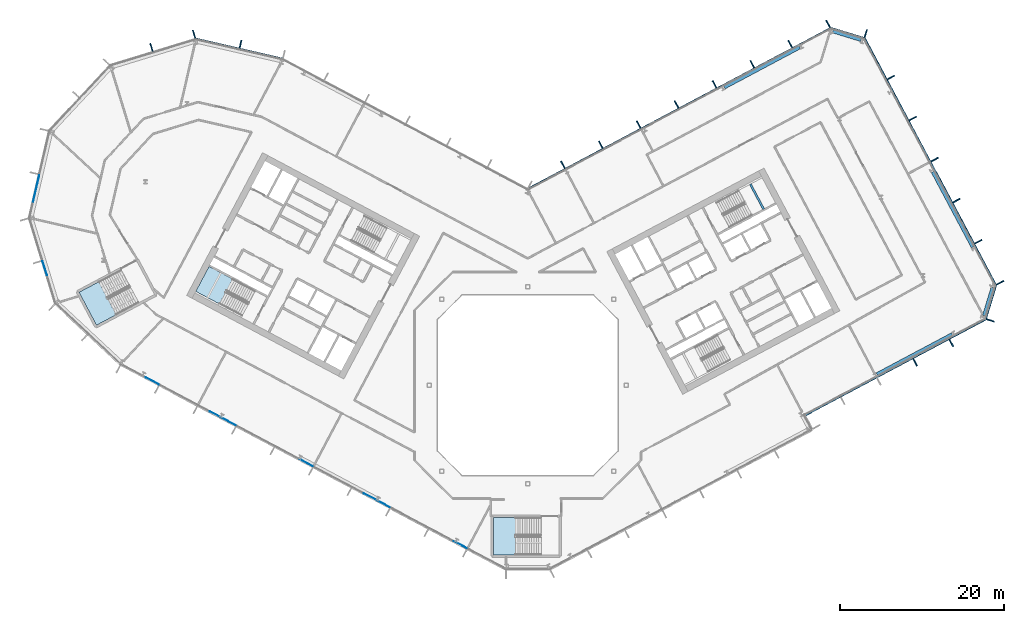
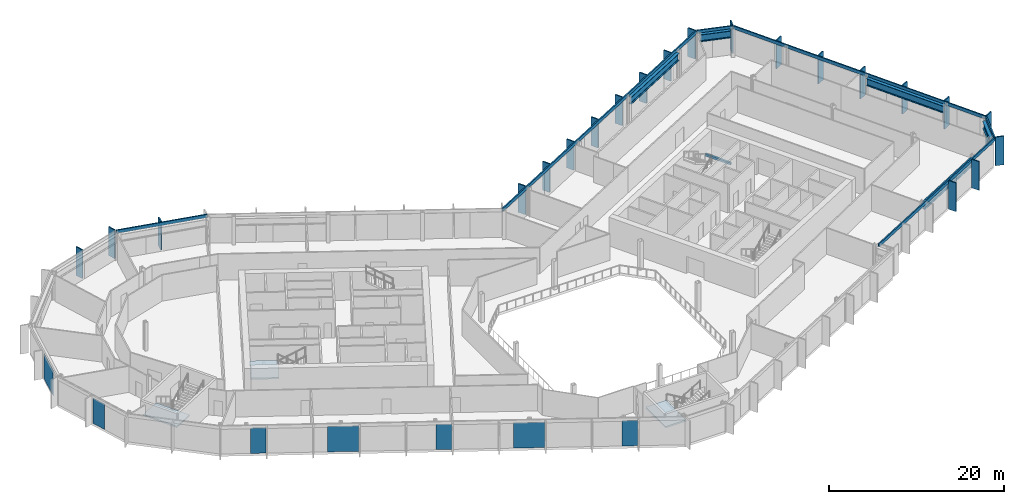
# One storey, part 10 of 28: 27 members, 7 plates, 6 beams, 3 slabs, 13 elements without a shape of their own.
"""IFC4 building model written with IfcOpenShell, lengths in metres."""

from ifc_helpers import new_model, si_unit, direction, frame, origin, origin_2d, place, context, subcontext, project, spatial, polyline, rectangle, i_section, outline, extrude, material, layer, layer_set, material_profile, profile_set, type_object, element, aggregate, save


model = new_model("IFC4")

# Units and contexts
model_context = context("Model", 3, precision=1e-05, world=origin(), true_north=direction((0.0, 1.0)))
body_context = subcontext(model_context, "Body", "Model", "MODEL_VIEW")
ifc_project = project(units=[si_unit("LENGTHUNIT", "METRE"), si_unit("AREAUNIT", "SQUARE_METRE"), si_unit("VOLUMEUNIT", "CUBIC_METRE"), si_unit("PLANEANGLEUNIT", "RADIAN"), si_unit("MASSUNIT", "GRAM", prefix="KILO")], contexts=[model_context])

# Site, building, storey
site_placement = place(None, origin())
site = spatial("IfcSite", under=ifc_project, at=site_placement, CompositionType="ELEMENT")
building_placement = place(site_placement, origin())
building = spatial("IfcBuilding", under=site, at=building_placement, Name="Cormorant Relay Tower", CompositionType="ELEMENT")
storey_placement = place(building_placement, frame((0.0, 0.0, 126.199951171875)))
storey = spatial("IfcBuildingStorey", under=building, at=storey_placement, Name="L25", CompositionType="ELEMENT", Elevation=126.199951171875)

# Curtain wall, members
ifc_material_1 = material(Name="Aluminium 6063-T6 anodised bronze", Category="aluminium")
ifc_layer_1 = layer(ifc_material_1, 0.199951171875)
ifc_layer_set_1 = layer_set([ifc_layer_1], Name="CW1 unitised bronze curtain wall with vertical fins")
curtain_wall_type = type_object("IfcCurtainWallType", Name="CW1 unitised bronze curtain wall with vertical fins", PredefinedType="NOTDEFINED", material=ifc_layer_set_1)
curtain_wall_1_placement = place(storey_placement, origin())
curtain_wall_1 = element("IfcCurtainWall", 1, at=curtain_wall_1_placement, inside=storey, type_object=curtain_wall_type, Name="CW1 curtain wall 4", PredefinedType="NOTDEFINED")
ifc_material_2 = material(Name="Aluminium 6063-T6 anodised bronze", Category="aluminium")
ifc_material_profile_1 = material_profile(ifc_material_2, rectangle(XDim=0.14990234375, YDim=1.0, at=origin_2d()), Name="AL 150x1000")
ifc_profile_set_1 = profile_set([ifc_material_profile_1], Name="Aluminium 6063-T6 anodised bronze")
member_type_1 = type_object("IfcMemberType", Name="CW1 bronze fin mullion 150 x 1000", PredefinedType="MULLION", material=ifc_profile_set_1)
member_1_placement = place(storey_placement, frame((47.21533203125, 2.793212890625, 0.0), z_axis=(0.0, 0.0, 1.0), x_axis=(0.882947592859, 0.469471562786, 0.0)))
member_1 = element("IfcMember", 2, at=member_1_placement, type_object=member_type_1, Name="CW1 fin 4.4", PredefinedType="MULLION", context=body_context, shape_type="SweptSolid", body=[
    extrude(rectangle(XDim=0.14990234375, YDim=1.0, at=origin_2d()), origin(), (0.0, 0.0, 1.0), 4.0),
])
member_2_placement = place(storey_placement, frame((51.630126953125, 5.140625, 0.0), z_axis=(0.0, 0.0, 1.0), x_axis=(0.882947592859, 0.469471562786, 0.0)))
member_2 = element("IfcMember", 3, at=member_2_placement, type_object=member_type_1, Name="CW1 fin 4.5", PredefinedType="MULLION", context=body_context, shape_type="SweptSolid", body=[
    extrude(rectangle(XDim=0.14990234375, YDim=1.0, at=origin_2d()), origin(), (0.0, 0.0, 1.0), 4.0),
])

# Curtain wall, member
curtain_wall_2_placement = place(storey_placement, origin())
curtain_wall_2 = element("IfcCurtainWall", 4, at=curtain_wall_2_placement, inside=storey, type_object=curtain_wall_type, Name="CW1 curtain wall 5", PredefinedType="NOTDEFINED")
member_3_placement = place(storey_placement, frame((56.385498046875, 7.9013671875, 0.0), z_axis=(0.0, 0.0, 1.0), x_axis=(0.292371704723, 0.956304755963, 0.0)))
member_3 = element("IfcMember", 5, at=member_3_placement, type_object=member_type_1, Name="CW1 fin 5.1", PredefinedType="MULLION", context=body_context, shape_type="SweptSolid", body=[
    extrude(rectangle(XDim=0.14990234375, YDim=1.0, at=origin_2d()), origin(), (0.0, 0.0, 1.0), 4.0),
])

# Curtain wall, members
curtain_wall_3_placement = place(storey_placement, origin())
curtain_wall_3 = element("IfcCurtainWall", 6, at=curtain_wall_3_placement, inside=storey, type_object=curtain_wall_type, Name="CW1 curtain wall 6", PredefinedType="NOTDEFINED")
member_4_placement = place(storey_placement, frame((57.57470703125, 12.491943359375, 0.0), z_axis=(0.0, 0.0, 1.0), x_axis=(-0.469471562786, 0.882947592859, 0.0)))
member_4 = element("IfcMember", 7, at=member_4_placement, type_object=member_type_1, Name="CW1 fin 6.1", PredefinedType="MULLION", context=body_context, shape_type="SweptSolid", body=[
    extrude(rectangle(XDim=0.14990234375, YDim=1.0, at=origin_2d()), origin(), (0.0, 0.0, 1.0), 4.0),
])
member_5_placement = place(storey_placement, frame((54.914306640625, 17.4951171875, 0.0), z_axis=(0.0, 0.0, 1.0), x_axis=(-0.469471562786, 0.882947592859, 0.0)))
member_5 = element("IfcMember", 8, at=member_5_placement, type_object=member_type_1, Name="CW1 fin 6.2", PredefinedType="MULLION", context=body_context, shape_type="SweptSolid", body=[
    extrude(rectangle(XDim=0.14990234375, YDim=1.0, at=origin_2d()), origin(), (0.0, 0.0, 1.0), 4.0),
])
member_6_placement = place(storey_placement, frame((52.25390625, 22.49853515625, 0.0), z_axis=(0.0, 0.0, 1.0), x_axis=(-0.469471562786, 0.882947592859, 0.0)))
member_6 = element("IfcMember", 9, at=member_6_placement, type_object=member_type_1, Name="CW1 fin 6.3", PredefinedType="MULLION", context=body_context, shape_type="SweptSolid", body=[
    extrude(rectangle(XDim=0.14990234375, YDim=1.0, at=origin_2d()), origin(), (0.0, 0.0, 1.0), 4.0),
])
member_7_placement = place(storey_placement, frame((49.59375, 27.501953125, 0.0), z_axis=(0.0, 0.0, 1.0), x_axis=(-0.469471562786, 0.882947592859, 0.0)))
member_7 = element("IfcMember", 10, at=member_7_placement, type_object=member_type_1, Name="CW1 fin 6.4", PredefinedType="MULLION", context=body_context, shape_type="SweptSolid", body=[
    extrude(rectangle(XDim=0.14990234375, YDim=1.0, at=origin_2d()), origin(), (0.0, 0.0, 1.0), 4.0),
])
member_8_placement = place(storey_placement, frame((46.933349609375, 32.50537109375, 0.0), z_axis=(0.0, 0.0, 1.0), x_axis=(-0.469471562786, 0.882947592859, 0.0)))
member_8 = element("IfcMember", 11, at=member_8_placement, type_object=member_type_1, Name="CW1 fin 6.5", PredefinedType="MULLION", context=body_context, shape_type="SweptSolid", body=[
    extrude(rectangle(XDim=0.14990234375, YDim=1.0, at=origin_2d()), origin(), (0.0, 0.0, 1.0), 4.0),
])
member_9_placement = place(storey_placement, frame((44.27294921875, 37.5087890625, 0.0), z_axis=(0.0, 0.0, 1.0), x_axis=(-0.469471562786, 0.882947592859, 0.0)))
member_9 = element("IfcMember", 12, at=member_9_placement, type_object=member_type_1, Name="CW1 fin 6.6", PredefinedType="MULLION", context=body_context, shape_type="SweptSolid", body=[
    extrude(rectangle(XDim=0.14990234375, YDim=1.0, at=origin_2d()), origin(), (0.0, 0.0, 1.0), 4.0),
])

# Curtain wall, member
curtain_wall_4_placement = place(storey_placement, origin())
curtain_wall_4 = element("IfcCurtainWall", 13, at=curtain_wall_4_placement, inside=storey, type_object=curtain_wall_type, Name="CW1 curtain wall 7", PredefinedType="NOTDEFINED")
member_10_placement = place(storey_placement, frame((41.19921875, 42.852783203125, 0.0), z_axis=(0.0, 0.0, 1.0), x_axis=(-0.956304755963, 0.292371704723, 0.0)))
member_10 = element("IfcMember", 14, at=member_10_placement, type_object=member_type_1, Name="CW1 fin 7.1", PredefinedType="MULLION", context=body_context, shape_type="SweptSolid", body=[
    extrude(rectangle(XDim=0.14990234375, YDim=1.0, at=origin_2d()), origin(), (0.0, 0.0, 1.0), 4.0),
])

# Curtain wall, members
curtain_wall_5_placement = place(storey_placement, origin())
curtain_wall_5 = element("IfcCurtainWall", 15, at=curtain_wall_5_placement, inside=storey, type_object=curtain_wall_type, Name="CW1 curtain wall 8", PredefinedType="NOTDEFINED")
member_11_placement = place(storey_placement, frame((36.608642578125, 44.0419921875, 0.0), z_axis=(0.0, 0.0, 1.0), x_axis=(-0.882947592859, -0.469471562786, 0.0)))
member_11 = element("IfcMember", 16, at=member_11_placement, type_object=member_type_1, Name="CW1 fin 8.1", PredefinedType="MULLION", context=body_context, shape_type="SweptSolid", body=[
    extrude(rectangle(XDim=0.14990234375, YDim=1.0, at=origin_2d()), origin(), (0.0, 0.0, 1.0), 4.0),
])
member_12_placement = place(storey_placement, frame((31.991455078125, 41.5869140625, 0.0), z_axis=(0.0, 0.0, 1.0), x_axis=(-0.882947592859, -0.469471562786, 0.0)))
member_12 = element("IfcMember", 17, at=member_12_placement, type_object=member_type_1, Name="CW1 fin 8.2", PredefinedType="MULLION", context=body_context, shape_type="SweptSolid", body=[
    extrude(rectangle(XDim=0.14990234375, YDim=1.0, at=origin_2d()), origin(), (0.0, 0.0, 1.0), 4.0),
])
member_13_placement = place(storey_placement, frame((27.37451171875, 39.132080078125, 0.0), z_axis=(0.0, 0.0, 1.0), x_axis=(-0.882947592859, -0.469471562786, 0.0)))
member_13 = element("IfcMember", 18, at=member_13_placement, type_object=member_type_1, Name="CW1 fin 8.3", PredefinedType="MULLION", context=body_context, shape_type="SweptSolid", body=[
    extrude(rectangle(XDim=0.14990234375, YDim=1.0, at=origin_2d()), origin(), (0.0, 0.0, 1.0), 4.0),
])
member_14_placement = place(storey_placement, frame((22.757080078125, 36.677001953125, 0.0), z_axis=(0.0, 0.0, 1.0), x_axis=(-0.882947592859, -0.469471562786, 0.0)))
member_14 = element("IfcMember", 19, at=member_14_placement, type_object=member_type_1, Name="CW1 fin 8.4", PredefinedType="MULLION", context=body_context, shape_type="SweptSolid", body=[
    extrude(rectangle(XDim=0.14990234375, YDim=1.0, at=origin_2d()), origin(), (0.0, 0.0, 1.0), 4.0),
])
member_15_placement = place(storey_placement, frame((18.139892578125, 34.221923828125, 0.0), z_axis=(0.0, 0.0, 1.0), x_axis=(-0.882947592859, -0.469471562786, 0.0)))
member_15 = element("IfcMember", 20, at=member_15_placement, type_object=member_type_1, Name="CW1 fin 8.5", PredefinedType="MULLION", context=body_context, shape_type="SweptSolid", body=[
    extrude(rectangle(XDim=0.14990234375, YDim=1.0, at=origin_2d()), origin(), (0.0, 0.0, 1.0), 4.0),
])
member_16_placement = place(storey_placement, frame((13.52294921875, 31.76708984375, 0.0), z_axis=(0.0, 0.0, 1.0), x_axis=(-0.882947592859, -0.469471562786, 0.0)))
member_16 = element("IfcMember", 21, at=member_16_placement, type_object=member_type_1, Name="CW1 fin 8.6", PredefinedType="MULLION", context=body_context, shape_type="SweptSolid", body=[
    extrude(rectangle(XDim=0.14990234375, YDim=1.0, at=origin_2d()), origin(), (0.0, 0.0, 1.0), 4.0),
])
member_17_placement = place(storey_placement, frame((8.90576171875, 29.31201171875, 0.0), z_axis=(0.0, 0.0, 1.0), x_axis=(-0.882947592859, -0.469471562786, 0.0)))
member_17 = element("IfcMember", 22, at=member_17_placement, type_object=member_type_1, Name="CW1 fin 8.7", PredefinedType="MULLION", context=body_context, shape_type="SweptSolid", body=[
    extrude(rectangle(XDim=0.14990234375, YDim=1.0, at=origin_2d()), origin(), (0.0, 0.0, 1.0), 4.0),
])
member_18_placement = place(storey_placement, frame((4.28857421875, 26.85693359375, 0.0), z_axis=(0.0, 0.0, 1.0), x_axis=(-0.882947592859, -0.469471562786, 0.0)))
member_18 = element("IfcMember", 23, at=member_18_placement, type_object=member_type_1, Name="CW1 fin 8.8", PredefinedType="MULLION", context=body_context, shape_type="SweptSolid", body=[
    extrude(rectangle(XDim=0.14990234375, YDim=1.0, at=origin_2d()), origin(), (0.0, 0.0, 1.0), 4.0),
])

# Curtain wall, member
curtain_wall_6_placement = place(storey_placement, origin())
curtain_wall_6 = element("IfcCurtainWall", 24, at=curtain_wall_6_placement, inside=storey, type_object=curtain_wall_type, Name="CW1 curtain wall 10", PredefinedType="NOTDEFINED")
member_19_placement = place(storey_placement, frame((-35.01220703125, 41.57275390625, 0.0), z_axis=(0.0, 0.0, 1.0), x_axis=(-0.974370064785, 0.224951054344, 0.0)))
member_19 = element("IfcMember", 25, at=member_19_placement, type_object=member_type_1, Name="CW1 fin 10.2", PredefinedType="MULLION", context=body_context, shape_type="SweptSolid", body=[
    extrude(rectangle(XDim=0.14990234375, YDim=1.0, at=origin_2d()), origin(), (0.0, 0.0, 1.0), 4.0),
])

# Curtain wall, members
curtain_wall_7_placement = place(storey_placement, origin())
curtain_wall_7 = element("IfcCurtainWall", 26, at=curtain_wall_7_placement, inside=storey, type_object=curtain_wall_type, Name="CW1 curtain wall 11", PredefinedType="NOTDEFINED")
member_20_placement = place(storey_placement, frame((-40.670166015625, 42.78271484375, 0.0), z_axis=(0.0, 0.0, 1.0), x_axis=(-0.956304755963, -0.292371704723, 0.0)))
member_20 = element("IfcMember", 27, at=member_20_placement, type_object=member_type_1, Name="CW1 fin 11.1", PredefinedType="MULLION", context=body_context, shape_type="SweptSolid", body=[
    extrude(rectangle(XDim=0.14990234375, YDim=1.0, at=origin_2d()), origin(), (0.0, 0.0, 1.0), 4.0),
])
member_21_placement = place(storey_placement, frame((-45.867919921875, 41.193603515625, 0.0), z_axis=(0.0, 0.0, 1.0), x_axis=(-0.956304755963, -0.292371704723, 0.0)))
member_21 = element("IfcMember", 28, at=member_21_placement, type_object=member_type_1, Name="CW1 fin 11.2", PredefinedType="MULLION", context=body_context, shape_type="SweptSolid", body=[
    extrude(rectangle(XDim=0.14990234375, YDim=1.0, at=origin_2d()), origin(), (0.0, 0.0, 1.0), 4.0),
])
aggregate(curtain_wall_7, [member_20, member_21])

# Member
ifc_material_3 = material(Name="Aluminium 6063-T6 anodised bronze", Category="aluminium")
ifc_material_profile_2 = material_profile(ifc_material_3, rectangle(XDim=0.159912109375, YDim=0.449951171875, at=origin_2d()), Name="AL 160x450")
ifc_profile_set_2 = profile_set([ifc_material_profile_2], Name="Aluminium 6063-T6 anodised bronze")
member_type_2 = type_object("IfcMemberType", Name="CW1 bronze transom 160 x 450", PredefinedType="USERDEFINED", material=ifc_profile_set_2)
member_22_placement = place(storey_placement, frame((33.69873046875, -3.73681640625, 3.775146484375), z_axis=(0.88294749795, 0.469471741284, 0.0), x_axis=(-0.469471741284, 0.88294749795, 0.0)))
member_22 = element("IfcMember", 29, at=member_22_placement, type_object=member_type_2, Name="CW1 transom 4", ObjectType="TRANSOM", PredefinedType="USERDEFINED", context=body_context, shape_type="SweptSolid", body=[
    extrude(rectangle(XDim=0.159912109375, YDim=0.449951171875, at=origin_2d()), origin(), (0.0, 0.0, 1.0), 25.0),
])

aggregate(curtain_wall_1, [member_1, member_2, member_22])

member_23_placement = place(storey_placement, frame((55.830810546875, 8.07080078125, 3.775146484375), z_axis=(0.292374957137, 0.956303761594, 0.0), x_axis=(-0.956303761594, 0.292374957137, 0.0)))
member_23 = element("IfcMember", 30, at=member_23_placement, type_object=member_type_2, Name="CW1 transom 5", ObjectType="TRANSOM", PredefinedType="USERDEFINED", context=body_context, shape_type="SweptSolid", body=[
    extrude(rectangle(XDim=0.159912109375, YDim=0.449951171875, at=origin_2d()), origin(), (0.0, 0.0, 1.0), 4.24267578125),
])

aggregate(curtain_wall_2, [member_3, member_23])

member_24_placement = place(storey_placement, frame((57.0625, 12.219482421875, 3.775146484375), z_axis=(-0.469468277635, 0.882949339597, 0.0), x_axis=(-0.882949339597, -0.469468277635, 0.0)))
member_24 = element("IfcMember", 31, at=member_24_placement, type_object=member_type_2, Name="CW1 transom 6", ObjectType="TRANSOM", PredefinedType="USERDEFINED", context=body_context, shape_type="SweptSolid", body=[
    extrude(rectangle(XDim=0.159912109375, YDim=0.449951171875, at=origin_2d()), origin(), (0.0, 0.0, 1.0), 34.0),
])

aggregate(curtain_wall_3, [member_4, member_5, member_6, member_7, member_8, member_9, member_24])

member_25_placement = place(storey_placement, frame((41.02978515625, 42.298095703125, 3.775146484375), z_axis=(-0.956303761594, 0.292374957137, 0.0), x_axis=(-0.292374957137, -0.956303761594, 0.0)))
member_25 = element("IfcMember", 32, at=member_25_placement, type_object=member_type_2, Name="CW1 transom 7", ObjectType="TRANSOM", PredefinedType="USERDEFINED", context=body_context, shape_type="SweptSolid", body=[
    extrude(rectangle(XDim=0.159912109375, YDim=0.449951171875, at=origin_2d()), origin(), (0.0, 0.0, 1.0), 4.24267578125),
])

aggregate(curtain_wall_4, [member_10, member_25])

member_26_placement = place(storey_placement, frame((36.881103515625, 43.52978515625, 3.775146484375), z_axis=(-0.88294882701, -0.469469241677, 0.0), x_axis=(0.469469241677, -0.88294882701, 0.0)))
member_26 = element("IfcMember", 33, at=member_26_placement, type_object=member_type_2, Name="CW1 transom 8", ObjectType="TRANSOM", PredefinedType="USERDEFINED", context=body_context, shape_type="SweptSolid", body=[
    extrude(rectangle(XDim=0.159912109375, YDim=0.449951171875, at=origin_2d()), origin(), (0.0, 0.0, 1.0), 41.834228515625),
])

aggregate(curtain_wall_5, [member_11, member_12, member_13, member_14, member_15, member_16, member_17, member_18, member_26])

member_27_placement = place(storey_placement, frame((-29.8466796875, 39.784912109375, 3.775146484375), z_axis=(-0.974365070969, 0.224972683844, 0.0), x_axis=(-0.224972683844, -0.974365070969, 0.0)))
member_27 = element("IfcMember", 34, at=member_27_placement, type_object=member_type_2, Name="CW1 transom 10", ObjectType="TRANSOM", PredefinedType="USERDEFINED", context=body_context, shape_type="SweptSolid", body=[
    extrude(rectangle(XDim=0.159912109375, YDim=0.449951171875, at=origin_2d()), origin(), (0.0, 0.0, 1.0), 10.870361328125),
])

aggregate(curtain_wall_6, [member_19, member_27])

# Beams
ifc_material_4 = material(Name="Steel ASTM A992 (Fy 345 MPa)", Category="steel")
ifc_material_profile_3 = material_profile(ifc_material_4, i_section(OverallWidth=0.4013671875, OverallDepth=1.000732421875, WebThickness=0.01904296875, FlangeThickness=0.0361328125, FilletRadius=0.02978515625, at=origin_2d()), Name="W1000x371")
ifc_profile_set_3 = profile_set([ifc_material_profile_3], Name="Steel ASTM A992 (Fy 345 MPa)")
beam_type_1 = type_object("IfcBeamType", Name="Spandrel W1000x371", PredefinedType="SPANDREL", material=ifc_profile_set_3)
beam_1_placement = place(storey_placement, frame((42.5595703125, 1.337890625, 3.1396484375), z_axis=(0.882955922346, 0.469455896963, 0.0), x_axis=(-0.469455896963, 0.882955922346, 0.0)))
element("IfcBeam", 35, at=beam_1_placement, inside=storey, type_object=beam_type_1, Name="Spandrel beam L25-004", PredefinedType="SPANDREL", context=body_context, shape_type="SweptSolid", body=[
    extrude(i_section(OverallWidth=0.4013671875, OverallDepth=1.000732421875, WebThickness=0.01904296875, FlangeThickness=0.0361328125, FilletRadius=0.02978515625, at=origin_2d()), origin(), (0.0, 0.0, 1.0), 10.388427734375),
])
beam_2_placement = place(storey_placement, frame((55.62548828125, 8.495849609375, 3.1396484375), z_axis=(0.29237248799, 0.956304516494, 0.0), x_axis=(-0.956304516494, 0.29237248799, 0.0)))
element("IfcBeam", 36, at=beam_2_placement, inside=storey, type_object=beam_type_1, Name="Spandrel beam L25-005", PredefinedType="SPANDREL", context=body_context, shape_type="SweptSolid", body=[
    extrude(i_section(OverallWidth=0.4013671875, OverallDepth=1.000732421875, WebThickness=0.01904296875, FlangeThickness=0.0361328125, FilletRadius=0.02978515625, at=origin_2d()), origin(), (0.0, 0.0, 1.0), 3.585693359375),
])
beam_3_placement = place(storey_placement, frame((54.24169921875, 16.841796875, 3.1396484375), z_axis=(-0.469474218299, 0.882946180893, 0.0), x_axis=(-0.882946180893, -0.469474218299, 0.0)))
element("IfcBeam", 37, at=beam_3_placement, inside=storey, type_object=beam_type_1, Name="Spandrel beam L25-006", PredefinedType="SPANDREL", context=body_context, shape_type="SweptSolid", body=[
    extrude(i_section(OverallWidth=0.4013671875, OverallDepth=1.000732421875, WebThickness=0.01904296875, FlangeThickness=0.0361328125, FilletRadius=0.02978515625, at=origin_2d()), origin(), (0.0, 0.0, 1.0), 10.388671875),
])
beam_4_placement = place(storey_placement, frame((40.605224609375, 42.0927734375, 3.1396484375), z_axis=(-0.956311914022, 0.292348290742, 0.0), x_axis=(-0.292348290742, -0.956311914022, 0.0)))
element("IfcBeam", 38, at=beam_4_placement, inside=storey, type_object=beam_type_1, Name="Spandrel beam L25-007", PredefinedType="SPANDREL", context=body_context, shape_type="SweptSolid", body=[
    extrude(i_section(OverallWidth=0.4013671875, OverallDepth=1.000732421875, WebThickness=0.01904296875, FlangeThickness=0.0361328125, FilletRadius=0.02978515625, at=origin_2d()), origin(), (0.0, 0.0, 1.0), 3.585205078125),
])
beam_5_placement = place(storey_placement, frame((33.141357421875, 41.17822265625, 3.1396484375), z_axis=(-0.882955922346, -0.469455896963, 0.0), x_axis=(0.469455896963, -0.882955922346, 0.0)))
element("IfcBeam", 39, at=beam_5_placement, inside=storey, type_object=beam_type_1, Name="Spandrel beam L25-008", PredefinedType="SPANDREL", context=body_context, shape_type="SweptSolid", body=[
    extrude(i_section(OverallWidth=0.4013671875, OverallDepth=1.000732421875, WebThickness=0.01904296875, FlangeThickness=0.0361328125, FilletRadius=0.02978515625, at=origin_2d()), origin(), (0.0, 0.0, 1.0), 10.388427734375),
])
ifc_material_5 = material(Name="Concrete 50 MPa", Category="concrete")
ifc_material_profile_4 = material_profile(ifc_material_5, rectangle(XDim=0.25, YDim=0.300048828125, at=origin_2d()), Name="RC 250x300")
ifc_profile_set_4 = profile_set([ifc_material_profile_4], Name="Concrete 50 MPa")
beam_type_2 = type_object("IfcBeamType", Name="Stair landing ledge beam 250x300", PredefinedType="BEAM", material=ifc_profile_set_4)
beam_6_placement = place(storey_placement, frame((28.755126953125, 21.4619140625, 1.650146484375), z_axis=(-0.469463917486, 0.882951657895, 0.0), x_axis=(-0.882951657895, -0.469463917486, 0.0)))
element("IfcBeam", 40, at=beam_6_placement, inside=storey, type_object=beam_type_2, Name="B2 landing ledge beam", PredefinedType="BEAM", context=body_context, shape_type="SweptSolid", body=[
    extrude(rectangle(XDim=0.25, YDim=0.300048828125, at=origin_2d()), origin(), (0.0, 0.0, 1.0), 3.449951171875),
])

# Curtain wall, plate
curtain_wall_8_placement = place(storey_placement, origin())
curtain_wall_8 = element("IfcCurtainWall", 41, at=curtain_wall_8_placement, inside=storey, type_object=curtain_wall_type, Name="CW1 curtain wall 14", PredefinedType="NOTDEFINED")
ifc_material_6 = material(Name="Tinted laminated glass", Category="glass")
ifc_layer_2 = layer(ifc_material_6, 0.0400390625)
ifc_layer_set_2 = layer_set([ifc_layer_2], Name="CW1 tinted vision panel 1800 module")
plate_type_1 = type_object("IfcPlateType", Name="CW1 tinted vision panel 1800 module", PredefinedType="CURTAIN_PANEL", material=ifc_layer_set_2)
plate_1_placement = place(storey_placement, frame((-58.86474609375, 14.25732421875, 0.0), z_axis=(0.0, 0.0, 1.0), x_axis=(0.292371704723, -0.956304755963, 0.0)))
plate_1 = element("IfcPlate", 42, at=plate_1_placement, type_object=plate_type_1, Name="CW1 panel V01", PredefinedType="CURTAIN_PANEL", context=body_context, shape_type="SweptSolid", body=[
    extrude(rectangle(XDim=1.800048828125, YDim=0.0400390625, at=origin_2d()), origin(), (0.0, 0.0, 1.0), 3.550048828125),
])
aggregate(curtain_wall_8, [plate_1])

# Curtain wall, plates
curtain_wall_9_placement = place(storey_placement, origin())
curtain_wall_9 = element("IfcCurtainWall", 43, at=curtain_wall_9_placement, inside=storey, type_object=curtain_wall_type, Name="CW1 curtain wall 16", PredefinedType="NOTDEFINED")
plate_2_placement = place(storey_placement, frame((-45.767578125, 0.5283203125, 0.0), z_axis=(0.0, 0.0, 1.0), x_axis=(0.882947592859, -0.469471562786, 0.0)))
plate_2 = element("IfcPlate", 44, at=plate_2_placement, type_object=plate_type_1, Name="CW1 panel V01", PredefinedType="CURTAIN_PANEL", context=body_context, shape_type="SweptSolid", body=[
    extrude(rectangle(XDim=1.800048828125, YDim=0.0400390625, at=origin_2d()), origin(), (0.0, 0.0, 1.0), 3.550048828125),
])
plate_3_placement = place(storey_placement, frame((-26.990478515625, -9.45556640625, 0.0), z_axis=(0.0, 0.0, 1.0), x_axis=(0.882947592859, -0.469471562786, 0.0)))
plate_3 = element("IfcPlate", 45, at=plate_3_placement, type_object=plate_type_1, Name="CW1 panel V05", PredefinedType="CURTAIN_PANEL", context=body_context, shape_type="SweptSolid", body=[
    extrude(rectangle(XDim=1.800048828125, YDim=0.0400390625, at=origin_2d()), origin(), (0.0, 0.0, 1.0), 3.550048828125),
])
plate_4_placement = place(storey_placement, frame((-8.21337890625, -19.439453125, 0.0), z_axis=(0.0, 0.0, 1.0), x_axis=(0.882947592859, -0.469471562786, 0.0)))
plate_4 = element("IfcPlate", 46, at=plate_4_placement, type_object=plate_type_1, Name="CW1 panel V09", PredefinedType="CURTAIN_PANEL", context=body_context, shape_type="SweptSolid", body=[
    extrude(rectangle(XDim=1.800048828125, YDim=0.0400390625, at=origin_2d()), origin(), (0.0, 0.0, 1.0), 3.550048828125),
])

# Curtain wall, plate
curtain_wall_10_placement = place(storey_placement, origin())
curtain_wall_10 = element("IfcCurtainWall", 47, at=curtain_wall_10_placement, inside=storey, type_object=curtain_wall_type, Name="CW1 curtain wall 13", PredefinedType="NOTDEFINED")
ifc_material_7 = material(Name="Tinted laminated glass", Category="glass")
ifc_layer_3 = layer(ifc_material_7, 0.0400390625)
ifc_layer_set_3 = layer_set([ifc_layer_3], Name="CW1 tinted vision panel 3600 module")
plate_type_2 = type_object("IfcPlateType", Name="CW1 tinted vision panel 3600 module", PredefinedType="CURTAIN_PANEL", material=ifc_layer_set_3)
plate_5_placement = place(storey_placement, frame((-59.9384765625, 23.86669921875, 0.0), z_axis=(0.0, 0.0, 1.0), x_axis=(-0.224951054344, -0.974370064785, 0.0)))
plate_5 = element("IfcPlate", 48, at=plate_5_placement, type_object=plate_type_2, Name="CW1 panel V01", PredefinedType="CURTAIN_PANEL", context=body_context, shape_type="SweptSolid", body=[
    extrude(rectangle(XDim=3.60009765625, YDim=0.0400390625, at=origin_2d()), origin(), (0.0, 0.0, 1.0), 3.550048828125),
])
aggregate(curtain_wall_10, [plate_5])

# Plate
plate_6_placement = place(storey_placement, frame((-37.173583984375, -4.041015625, 0.0), z_axis=(0.0, 0.0, 1.0), x_axis=(0.882947592859, -0.469471562786, 0.0)))
plate_6 = element("IfcPlate", 49, at=plate_6_placement, type_object=plate_type_2, Name="CW1 panel V03", PredefinedType="CURTAIN_PANEL", context=body_context, shape_type="SweptSolid", body=[
    extrude(rectangle(XDim=3.60009765625, YDim=0.0400390625, at=origin_2d()), origin(), (0.0, 0.0, 1.0), 3.550048828125),
])

plate_7_placement = place(storey_placement, frame((-18.396484375, -14.02490234375, 0.0), z_axis=(0.0, 0.0, 1.0), x_axis=(0.882947592859, -0.469471562786, 0.0)))
plate_7 = element("IfcPlate", 50, at=plate_7_placement, type_object=plate_type_2, Name="CW1 panel V07", PredefinedType="CURTAIN_PANEL", context=body_context, shape_type="SweptSolid", body=[
    extrude(rectangle(XDim=3.60009765625, YDim=0.0400390625, at=origin_2d()), origin(), (0.0, 0.0, 1.0), 3.550048828125),
])

aggregate(curtain_wall_9, [plate_2, plate_6, plate_3, plate_7, plate_4])

# Stair, slab
ifc_material_8 = material(Name="Concrete 40 MPa", Category="concrete")
stair_type_1 = type_object("IfcStairType", Name="Exit stair 1500", PredefinedType="HALF_TURN_STAIR", material=ifc_material_8)
stair_1_placement = place(storey_placement, origin())
stair_1 = element("IfcStair", 51, at=stair_1_placement, inside=storey, type_object=stair_type_1, Name="L25 Stair", PredefinedType="HALF_TURN_STAIR")
ifc_material_9 = material(Name="Concrete 40 MPa", Category="concrete")
ifc_layer_4 = layer(ifc_material_9, 0.199951171875)
ifc_layer_set_4 = layer_set([ifc_layer_4], Name="Exit stair landing 200")
slab_type = type_object("IfcSlabType", Name="Exit stair landing 200", PredefinedType="LANDING", material=ifc_layer_set_4)
slab_1_placement = place(storey_placement, frame((0.0, 0.0, 1.800048828125)))
slab_1 = element("IfcSlab", 52, at=slab_1_placement, type_object=slab_type, Name="A2 landing 1", PredefinedType="LANDING", context=body_context, shape_type="SweptSolid", body=[
    extrude(outline(polyline([(-35.96044921875, 12.947998046875), (-38.84765625, 14.483154296875), (-40.467529296875, 11.43701171875), (-37.580322265625, 9.90185546875), (-35.96044921875, 12.947998046875)])), origin(), (0.0, 0.0, 1.0), 0.199951171875),
])
aggregate(stair_1, [slab_1])

ifc_material_10 = material(Name="Concrete 40 MPa", Category="concrete")
stair_type_2 = type_object("IfcStairType", Name="Remote exit stair 2200", PredefinedType="HALF_TURN_STAIR", material=ifc_material_10)
stair_2_placement = place(storey_placement, origin())
stair_2 = element("IfcStair", 53, at=stair_2_placement, inside=storey, type_object=stair_type_2, Name="L25 Stair", PredefinedType="HALF_TURN_STAIR")
slab_2_placement = place(storey_placement, frame((0.0, 0.0, 1.800048828125)))
slab_2 = element("IfcSlab", 54, at=slab_2_placement, type_object=slab_type, Name="RK1 landing 1", PredefinedType="LANDING", context=body_context, shape_type="SweptSolid", body=[
    extrude(outline(polyline([(-1.47998046875, -16.125), (-4.199951171875, -16.125), (-4.199951171875, -20.675048828125), (-1.47998046875, -20.675048828125), (-1.47998046875, -16.125)])), origin(), (0.0, 0.0, 1.0), 0.199951171875),
])
aggregate(stair_2, [slab_2])

stair_3_placement = place(storey_placement, origin())
stair_3 = element("IfcStair", 55, at=stair_3_placement, inside=storey, type_object=stair_type_2, Name="L25 Stair", PredefinedType="HALF_TURN_STAIR")
slab_3_placement = place(storey_placement, frame((0.0, 0.0, 1.800048828125)))
slab_3 = element("IfcSlab", 56, at=slab_3_placement, type_object=slab_type, Name="RP1 landing 1", PredefinedType="LANDING", context=body_context, shape_type="SweptSolid", body=[
    extrude(outline(polyline([(-52.29833984375, 12.607666015625), (-54.699951171875, 11.330810546875), (-52.563720703125, 7.3134765625), (-50.162109375, 8.59033203125), (-52.29833984375, 12.607666015625)])), origin(), (0.0, 0.0, 1.0), 0.199951171875),
])
aggregate(stair_3, [slab_3])

save(model, "model.ifc")
